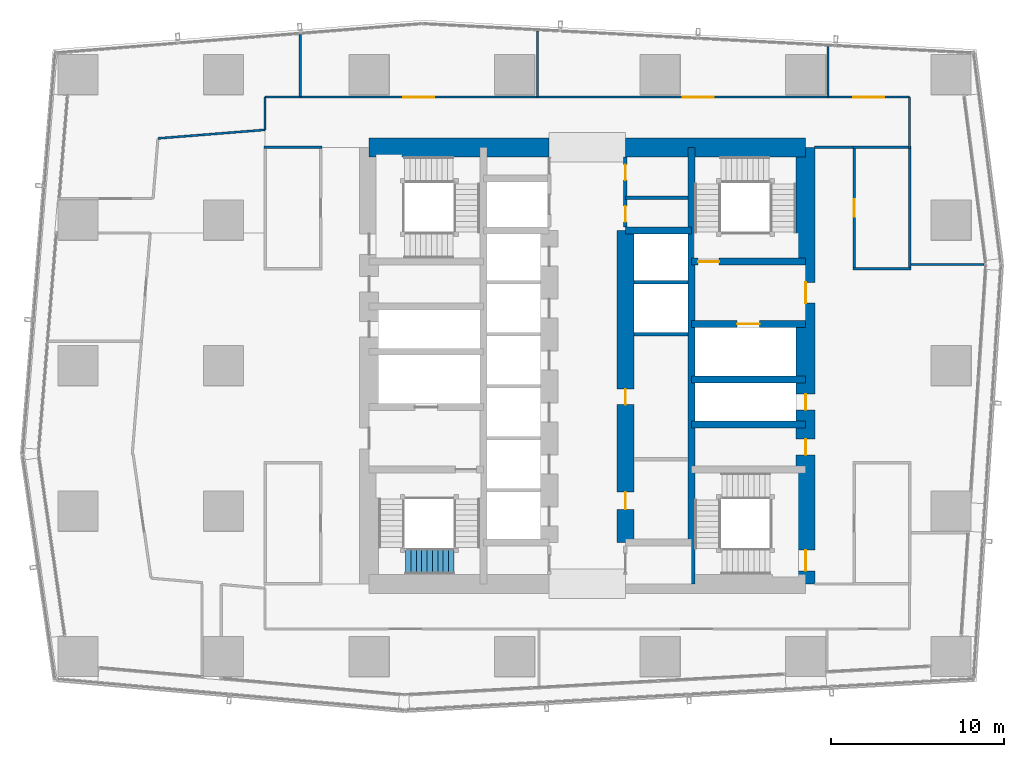
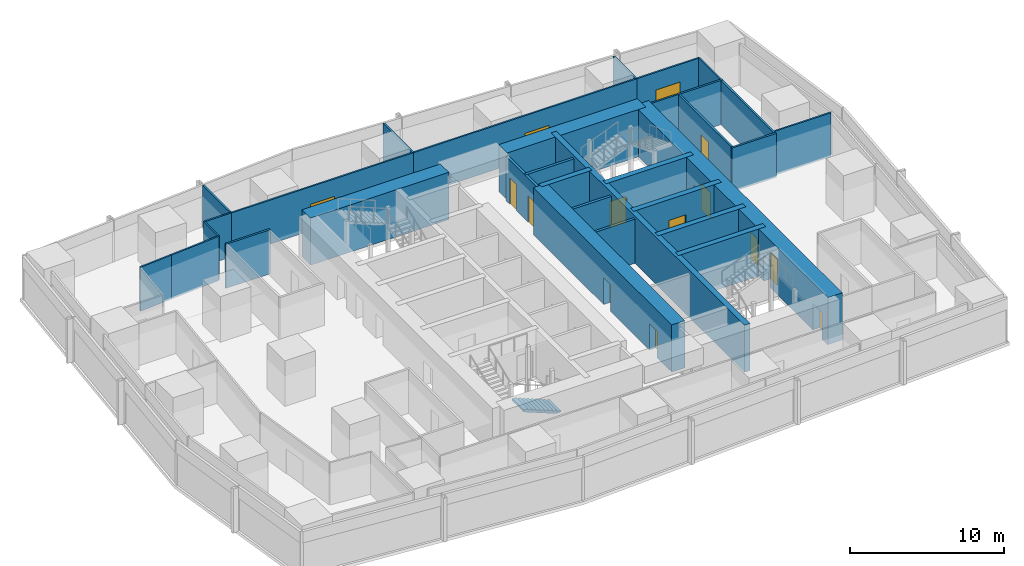
# One storey, part 23 of 32: 32 walls, 14 doors, 1 stair flight, 14 openings, 1 element without a shape of its own.
"""IFC4 building model written with IfcOpenShell, lengths in metres."""

from ifc_helpers import new_model, si_unit, direction, frame, frame_2d, origin, place, context, subcontext, project, spatial, polyline, rectangle, outline, extrude, material, layer, layer_set, type_object, element, fill, aggregate, save


model = new_model("IFC4")

# Units and contexts
model_context = context("Model", 3, precision=1e-05, world=origin(), true_north=direction((0.0, 1.0)))
body_context = subcontext(model_context, "Body", "Model", "MODEL_VIEW")
ifc_project = project(units=[si_unit("LENGTHUNIT", "METRE"), si_unit("AREAUNIT", "SQUARE_METRE"), si_unit("VOLUMEUNIT", "CUBIC_METRE"), si_unit("PLANEANGLEUNIT", "RADIAN"), si_unit("MASSUNIT", "GRAM", prefix="KILO")], contexts=[model_context])

# Site, building, storey
site_placement = place(None, origin())
site = spatial("IfcSite", under=ifc_project, at=site_placement, CompositionType="ELEMENT")
building_placement = place(site_placement, origin())
building = spatial("IfcBuilding", under=site, at=building_placement, Name="Rekha Terrace Tower", CompositionType="ELEMENT")
storey_placement = place(building_placement, frame((0.0, 0.0, 250.10009765625)))
storey = spatial("IfcBuildingStorey", under=building, at=storey_placement, Name="L63", CompositionType="ELEMENT", Elevation=250.10009765625)

# Walls
ifc_material_1 = material(Name="Concrete M60", Category="concrete")
ifc_layer_1 = layer(ifc_material_1, 0.39990234375)
ifc_layer_set_1 = layer_set([ifc_layer_1], Name="Concrete M60")
wall_type_1 = type_object("IfcWallType", Name="CI4 400 core internal shear wall", PredefinedType="SHEAR", material=ifc_layer_set_1)
wall_1_placement = place(storey_placement, frame((43.800048828125, 21.0, 0.0), z_axis=(0.0, 0.0, 1.0), x_axis=(0.0, 1.0, 0.0)))
element("IfcWall", 1, at=wall_1_placement, inside=storey, type_object=wall_type_1, Name="Core wall X438 L63", PredefinedType="SHEAR", context=body_context, shape_type="SweptSolid", body=[
    extrude(rectangle(XDim=25.199951171875, YDim=0.39990234375, at=frame_2d((12.60009765625, 0.0))), origin(), (0.0, 0.0, 1.0), 3.75),
])
wall_2_placement = place(storey_placement, frame((40.0, 41.39990234375, 0.0), z_axis=(0.0, 0.0, 1.0), x_axis=(1.0, 0.0, 0.0)))
element("IfcWall", 2, at=wall_2_placement, inside=storey, type_object=wall_type_1, Name="Core wall Y414E L63", PredefinedType="SHEAR", context=body_context, shape_type="SweptSolid", body=[
    extrude(rectangle(XDim=3.800048828125, YDim=0.39990234375, at=frame_2d((1.89990234375, 0.0))), origin(), (0.0, 0.0, 1.0), 3.75),
])
for number, where, z_axis, x_axis, name in (
    (3, (43.800048828125, 30.199951171875, 0.0), (0.0, 0.0, 1.0), (1.0, 0.0, 0.0), "Core wall Y302E L63"),
    (4, (43.800048828125, 32.800048828125, 0.0), (0.0, 0.0, 1.0), (1.0, 0.0, 0.0), "Core wall Y328E L63"),
):
    element("IfcWall", number, at=place(storey_placement, frame(where, z_axis=z_axis, x_axis=x_axis)), inside=storey, type_object=wall_type_1, Name=name, PredefinedType="SHEAR", context=body_context, shape_type="SweptSolid", body=[
        extrude(rectangle(XDim=6.599853515625, YDim=0.39990234375, at=frame_2d((3.2998046875, 0.0))), origin(), (0.0, 0.0, 1.0), 3.75),
    ])

# Wall, opening, door
wall_3_placement = place(storey_placement, frame((43.800048828125, 36.0, 0.0), z_axis=(0.0, 0.0, 1.0), x_axis=(1.0, 0.0, 0.0)))
wall_3 = element("IfcWall", 5, at=wall_3_placement, inside=storey, type_object=wall_type_1, Name="Core wall Y360E L63", PredefinedType="SHEAR", context=body_context, shape_type="SweptSolid", body=[
    extrude(rectangle(XDim=6.599853515625, YDim=0.39990234375, at=frame_2d((3.2998046875, 0.0))), origin(), (0.0, 0.0, 1.0), 3.75),
])
opening_1_placement = place(wall_3_placement, frame((2.64990234375, 0.0, 0.0)))
opening_1 = element("IfcOpeningElement", 6, at=opening_1_placement, cuts=wall_3, Name="Opening LD2", PredefinedType="OPENING", context=body_context, shape_type="SweptSolid", body=[
    extrude(rectangle(XDim=1.300048828125, YDim=2.10009765625, at=frame_2d((0.64990234375, 1.050048828125))), frame((0.0, 0.2099609375, 0.0), z_axis=(0.0, -1.0, 0.0), x_axis=(1.0, 0.0, 0.0)), (0.0, 0.0, 1.0), 0.419921875),
])
ifc_material_2 = material(Name="Stainless steel sliding landing door", Category="steel")
door_type_1 = type_object("IfcDoorType", Name="LD2 1300x2100 fire lift landing door", OperationType="SLIDING_TO_LEFT", PredefinedType="USERDEFINED", material=ifc_material_2)
door_1_placement = place(opening_1_placement, origin())
door_1 = element("IfcDoor", 7, at=door_1_placement, inside=storey, type_object=door_type_1, Name="Lift FL2 landing door L63", ObjectType="LIFT LANDING DOOR", OperationType="SLIDING_TO_LEFT", OverallHeight=2.10009765625, OverallWidth=1.300048828125, PredefinedType="USERDEFINED", context=body_context, shape_type="SweptSolid", body=[
    extrude(rectangle(XDim=1.300048828125, YDim=2.10009765625, at=frame_2d((0.64990234375, 1.050048828125))), frame((0.0, 0.02490234375, 0.0), z_axis=(0.0, -1.0, 0.0), x_axis=(1.0, 0.0, 0.0)), (0.0, 0.0, 1.0), 0.050048828125),
])
fill(opening_1, door_1)

wall_4_placement = place(storey_placement, frame((43.800048828125, 39.60009765625, 0.0), z_axis=(0.0, 0.0, 1.0), x_axis=(1.0, 0.0, 0.0)))
wall_4 = element("IfcWall", 8, at=wall_4_placement, inside=storey, type_object=wall_type_1, Name="Core wall Y396E L63", PredefinedType="SHEAR", context=body_context, shape_type="SweptSolid", body=[
    extrude(rectangle(XDim=6.599853515625, YDim=0.39990234375, at=frame_2d((3.2998046875, 0.0))), origin(), (0.0, 0.0, 1.0), 3.75),
])
opening_2_placement = place(wall_4_placement, frame((0.39990234375, 0.0, 0.0)))
opening_2 = element("IfcOpeningElement", 9, at=opening_2_placement, cuts=wall_4, Name="Opening D1", PredefinedType="OPENING", context=body_context, shape_type="SweptSolid", body=[
    extrude(rectangle(XDim=1.199951171875, YDim=2.10009765625, at=frame_2d((0.60009765625, 1.050048828125))), frame((0.0, 0.2099609375, 0.0), z_axis=(0.0, -1.0, 0.0), x_axis=(1.0, 0.0, 0.0)), (0.0, 0.0, 1.0), 0.419921875),
])
ifc_material_3 = material(Name="Steel fire door", Category="steel")
door_type_2 = type_object("IfcDoorType", Name="D1 1200x2100 stair fire door", OperationType="SINGLE_SWING_RIGHT", PredefinedType="DOOR", material=ifc_material_3)
door_2_placement = place(opening_2_placement, origin())
door_2 = element("IfcDoor", 10, at=door_2_placement, inside=storey, type_object=door_type_2, Name="Stair ST2 door L63", OperationType="SINGLE_SWING_RIGHT", OverallHeight=2.10009765625, OverallWidth=1.199951171875, PredefinedType="DOOR", context=body_context, shape_type="SweptSolid", body=[
    extrude(rectangle(XDim=1.199951171875, YDim=2.10009765625, at=frame_2d((0.60009765625, 1.050048828125))), frame((0.0, 0.02490234375, 0.0), z_axis=(0.0, -1.0, 0.0), x_axis=(1.0, 0.0, 0.0)), (0.0, 0.0, 1.0), 0.050048828125),
])
fill(opening_2, door_2)

# Wall, openings, doors
ifc_layer_2 = layer(ifc_material_1, 1.0)
ifc_layer_set_2 = layer_set([ifc_layer_2], Name="Concrete M60")
wall_type_2 = type_object("IfcWallType", Name="LW4 1000 core lobby wall at an outrigger level", PredefinedType="SHEAR", material=ifc_layer_set_2)
wall_5_placement = place(storey_placement, frame((40.0, 23.39990234375, 0.0), z_axis=(0.0, 0.0, 1.0), x_axis=(0.0, 1.0, 0.0)))
wall_5 = element("IfcWall", 11, at=wall_5_placement, inside=storey, type_object=wall_type_2, Name="Core wall X400 L63", PredefinedType="SHEAR", context=body_context, shape_type="SweptSolid", body=[
    extrude(rectangle(XDim=18.0, YDim=1.0, at=frame_2d((9.0, 0.0))), origin(), (0.0, 0.0, 1.0), 3.75),
])
opening_3_placement = place(wall_5_placement, frame((1.89990234375, 0.0, 0.0)))
opening_3 = element("IfcOpeningElement", 12, at=opening_3_placement, cuts=wall_5, Name="Opening D9", PredefinedType="OPENING", context=body_context, shape_type="SweptSolid", body=[
    extrude(rectangle(XDim=1.0, YDim=2.10009765625, at=frame_2d((0.5, 1.050048828125))), frame((0.0, 0.510009765625, 0.0), z_axis=(0.0, -1.0, 0.0), x_axis=(1.0, 0.0, 0.0)), (0.0, 0.0, 1.0), 1.02001953125),
])
opening_4_placement = place(wall_5_placement, frame((7.949951171875, 0.0, 0.0)))
opening_4 = element("IfcOpeningElement", 13, at=opening_4_placement, cuts=wall_5, Name="Opening D5", PredefinedType="OPENING", context=body_context, shape_type="SweptSolid", body=[
    extrude(rectangle(XDim=0.89990234375, YDim=2.10009765625, at=frame_2d((0.449951171875, 1.050048828125))), frame((0.0, 0.510009765625, 0.0), z_axis=(0.0, -1.0, 0.0), x_axis=(1.0, 0.0, 0.0)), (0.0, 0.0, 1.0), 1.02001953125),
])
door_type_3 = type_object("IfcDoorType", Name="D5 900x2100 riser access door", OperationType="SINGLE_SWING_LEFT", PredefinedType="DOOR", material=ifc_material_3)
door_3_placement = place(opening_4_placement, origin())
door_3 = element("IfcDoor", 14, at=door_3_placement, inside=storey, type_object=door_type_3, Name="Door back-of-house store L63", OperationType="SINGLE_SWING_LEFT", OverallHeight=2.10009765625, OverallWidth=0.89990234375, PredefinedType="DOOR", context=body_context, shape_type="SweptSolid", body=[
    extrude(rectangle(XDim=0.89990234375, YDim=2.10009765625, at=frame_2d((0.449951171875, 1.050048828125))), frame((0.0, 0.02490234375, 0.0), z_axis=(0.0, -1.0, 0.0), x_axis=(1.0, 0.0, 0.0)), (0.0, 0.0, 1.0), 0.050048828125),
])
fill(opening_4, door_3)
ifc_material_4 = material(Name="Timber fire door", Category="wood")
door_type_4 = type_object("IfcDoorType", Name="D9 1000x2100 office door", OperationType="SINGLE_SWING_LEFT", PredefinedType="DOOR", material=ifc_material_4)
door_4_placement = place(opening_3_placement, origin())
door_4 = element("IfcDoor", 15, at=door_4_placement, inside=storey, type_object=door_type_4, Name="Door pantry and vending room L63", OperationType="SINGLE_SWING_LEFT", OverallHeight=2.10009765625, OverallWidth=1.0, PredefinedType="DOOR", context=body_context, shape_type="SweptSolid", body=[
    extrude(rectangle(XDim=1.0, YDim=2.10009765625, at=frame_2d((0.5, 1.050048828125))), frame((0.0, 0.02490234375, 0.0), z_axis=(0.0, -1.0, 0.0), x_axis=(1.0, 0.0, 0.0)), (0.0, 0.0, 1.0), 0.050048828125),
])
fill(opening_3, door_4)

# Walls
ifc_layer_3 = layer(ifc_material_1, 1.10009765625)
ifc_layer_set_3 = layer_set([ifc_layer_3], Name="Concrete M60")
wall_type_3 = type_object("IfcWallType", Name="SW4 1100 core outer shear wall", PredefinedType="SHEAR", material=ifc_layer_set_3)
wall_6_placement = place(storey_placement, frame((25.199951171875, 46.199951171875, 0.0), z_axis=(0.0, 0.0, 1.0), x_axis=(1.0, 0.0, 0.0)))
element("IfcWall", 16, at=wall_6_placement, inside=storey, type_object=wall_type_3, Name="Core wall N1 L63", PredefinedType="SHEAR", context=body_context, shape_type="SweptSolid", body=[
    extrude(rectangle(XDim=10.400146484375, YDim=1.10009765625, at=frame_2d((5.2001953125, 0.0))), origin(), (0.0, 0.0, 1.0), 3.75),
])
wall_7_placement = place(storey_placement, frame((40.0, 46.199951171875, 0.0), z_axis=(0.0, 0.0, 1.0), x_axis=(1.0, 0.0, 0.0)))
element("IfcWall", 17, at=wall_7_placement, inside=storey, type_object=wall_type_3, Name="Core wall N2 L63", PredefinedType="SHEAR", context=body_context, shape_type="SweptSolid", body=[
    extrude(rectangle(XDim=10.39990234375, YDim=1.10009765625, at=frame_2d((5.199951171875, 0.0))), origin(), (0.0, 0.0, 1.0), 3.75),
])

# Wall, openings, doors
wall_8_placement = place(storey_placement, frame((50.39990234375, 21.0, 0.0), z_axis=(0.0, 0.0, 1.0), x_axis=(0.0, 1.0, 0.0)))
wall_8 = element("IfcWall", 18, at=wall_8_placement, inside=storey, type_object=wall_type_3, Name="Core wall E L63", PredefinedType="SHEAR", context=body_context, shape_type="SweptSolid", body=[
    extrude(rectangle(XDim=25.199951171875, YDim=1.10009765625, at=frame_2d((12.60009765625, 0.0))), origin(), (0.0, 0.0, 1.0), 3.75),
])
opening_5_placement = place(wall_8_placement, frame((16.199951171875, 0.0, 0.0)))
opening_5 = element("IfcOpeningElement", 19, at=opening_5_placement, cuts=wall_8, Name="Opening D2", PredefinedType="OPENING", context=body_context, shape_type="SweptSolid", body=[
    extrude(rectangle(XDim=1.199951171875, YDim=2.10009765625, at=frame_2d((0.60009765625, 1.050048828125))), frame((0.0, 0.56005859375, 0.0), z_axis=(0.0, -1.0, 0.0), x_axis=(1.0, 0.0, 0.0)), (0.0, 0.0, 1.0), 1.1201171875),
])
opening_6_placement = place(wall_8_placement, frame((10.050048828125, 0.0, 0.0)))
opening_6 = element("IfcOpeningElement", 20, at=opening_6_placement, cuts=wall_8, Name="Opening D5", PredefinedType="OPENING", context=body_context, shape_type="SweptSolid", body=[
    extrude(rectangle(XDim=0.89990234375, YDim=2.10009765625, at=frame_2d((0.449951171875, 1.050048828125))), frame((0.0, 0.56005859375, 0.0), z_axis=(0.0, -1.0, 0.0), x_axis=(1.0, 0.0, 0.0)), (0.0, 0.0, 1.0), 1.1201171875),
])
opening_7_placement = place(wall_8_placement, frame((7.449951171875, 0.0, 0.0)))
opening_7 = element("IfcOpeningElement", 21, at=opening_7_placement, cuts=wall_8, Name="Opening D5", PredefinedType="OPENING", context=body_context, shape_type="SweptSolid", body=[
    extrude(rectangle(XDim=0.89990234375, YDim=2.10009765625, at=frame_2d((0.449951171875, 1.050048828125))), frame((0.0, 0.56005859375, 0.0), z_axis=(0.0, -1.0, 0.0), x_axis=(1.0, 0.0, 0.0)), (0.0, 0.0, 1.0), 1.1201171875),
])
opening_8_placement = place(wall_8_placement, frame((0.75, 0.0, 0.0)))
opening_8 = element("IfcOpeningElement", 22, at=opening_8_placement, cuts=wall_8, Name="Opening D1", PredefinedType="OPENING", context=body_context, shape_type="SweptSolid", body=[
    extrude(rectangle(XDim=1.199951171875, YDim=2.10009765625, at=frame_2d((0.60009765625, 1.050048828125))), frame((0.0, 0.56005859375, 0.0), z_axis=(0.0, -1.0, 0.0), x_axis=(1.0, 0.0, 0.0)), (0.0, 0.0, 1.0), 1.1201171875),
])
door_5_placement = place(opening_8_placement, origin())
door_5 = element("IfcDoor", 23, at=door_5_placement, inside=storey, type_object=door_type_2, Name="Stair ST3 door L63", OperationType="SINGLE_SWING_RIGHT", OverallHeight=2.10009765625, OverallWidth=1.199951171875, PredefinedType="DOOR", context=body_context, shape_type="SweptSolid", body=[
    extrude(rectangle(XDim=1.199951171875, YDim=2.10009765625, at=frame_2d((0.60009765625, 1.050048828125))), frame((0.0, 0.02490234375, 0.0), z_axis=(0.0, -1.0, 0.0), x_axis=(1.0, 0.0, 0.0)), (0.0, 0.0, 1.0), 0.050048828125),
])
fill(opening_8, door_5)
door_type_5 = type_object("IfcDoorType", Name="D2 1200x2100 firefighting lobby door", OperationType="SINGLE_SWING_LEFT", PredefinedType="DOOR", material=ifc_material_3)
door_6_placement = place(opening_5_placement, origin())
door_6 = element("IfcDoor", 24, at=door_6_placement, inside=storey, type_object=door_type_5, Name="Door flb2 L63", OperationType="SINGLE_SWING_LEFT", OverallHeight=2.10009765625, OverallWidth=1.199951171875, PredefinedType="DOOR", context=body_context, shape_type="SweptSolid", body=[
    extrude(rectangle(XDim=1.199951171875, YDim=2.10009765625, at=frame_2d((0.60009765625, 1.050048828125))), frame((0.0, 0.02490234375, 0.0), z_axis=(0.0, -1.0, 0.0), x_axis=(1.0, 0.0, 0.0)), (0.0, 0.0, 1.0), 0.050048828125),
])
fill(opening_5, door_6)
door_7_placement = place(opening_6_placement, origin())
door_7 = element("IfcDoor", 25, at=door_7_placement, inside=storey, type_object=door_type_3, Name="Door rs2 L63", OperationType="SINGLE_SWING_LEFT", OverallHeight=2.10009765625, OverallWidth=0.89990234375, PredefinedType="DOOR", context=body_context, shape_type="SweptSolid", body=[
    extrude(rectangle(XDim=0.89990234375, YDim=2.10009765625, at=frame_2d((0.449951171875, 1.050048828125))), frame((0.0, 0.02490234375, 0.0), z_axis=(0.0, -1.0, 0.0), x_axis=(1.0, 0.0, 0.0)), (0.0, 0.0, 1.0), 0.050048828125),
])
fill(opening_6, door_7)
door_8_placement = place(opening_7_placement, origin())
door_8 = element("IfcDoor", 26, at=door_8_placement, inside=storey, type_object=door_type_3, Name="Door ele L63", OperationType="SINGLE_SWING_LEFT", OverallHeight=2.10009765625, OverallWidth=0.89990234375, PredefinedType="DOOR", context=body_context, shape_type="SweptSolid", body=[
    extrude(rectangle(XDim=0.89990234375, YDim=2.10009765625, at=frame_2d((0.449951171875, 1.050048828125))), frame((0.0, 0.02490234375, 0.0), z_axis=(0.0, -1.0, 0.0), x_axis=(1.0, 0.0, 0.0)), (0.0, 0.0, 1.0), 0.050048828125),
])
fill(opening_7, door_8)

# Walls
ifc_material_5 = material(Name="Concrete block masonry, 1 hour", Category="masonry")
ifc_layer_4 = layer(ifc_material_5, 0.14990234375)
ifc_layer_set_4 = layer_set([ifc_layer_4], Name="Concrete block masonry, 1 hour")
wall_type_4 = type_object("IfcWallType", Name="WP2 150 tenancy partition", PredefinedType="PARTITIONING", material=ifc_layer_set_4)
for number, where, z_axis, x_axis, name in (
    (27, (53.125, 39.199951171875, 0.0), (0.0, 0.0, 1.0), (1.0, 0.0, 0.0), "Women's WC wall L63"),
    (28, (53.125, 46.199951171875, 0.0), (0.0, 0.0, 1.0), (1.0, 0.0, 0.0), "Women's WC wall L63"),
):
    element("IfcWall", number, at=place(storey_placement, frame(where, z_axis=z_axis, x_axis=x_axis)), inside=storey, type_object=wall_type_4, Name=name, PredefinedType="PARTITIONING", context=body_context, shape_type="SweptSolid", body=[
        extrude(rectangle(XDim=3.35009765625, YDim=0.14990234375, at=frame_2d((1.675048828125, 0.0))), origin(), (0.0, 0.0, 1.0), 3.5),
    ])

# Wall, opening, door
wall_9_placement = place(storey_placement, frame((53.199951171875, 39.27490234375, 0.0), z_axis=(0.0, 0.0, 1.0), x_axis=(0.0, 1.0, 0.0)))
wall_9 = element("IfcWall", 29, at=wall_9_placement, inside=storey, type_object=wall_type_4, Name="Women's WC wall L63", PredefinedType="PARTITIONING", context=body_context, shape_type="SweptSolid", body=[
    extrude(rectangle(XDim=6.85009765625, YDim=0.14990234375, at=frame_2d((3.425048828125, 0.0))), origin(), (0.0, 0.0, 1.0), 3.5),
])
opening_9_placement = place(wall_9_placement, frame((2.925048828125, 0.0, 0.0)))
opening_9 = element("IfcOpeningElement", 30, at=opening_9_placement, cuts=wall_9, Name="Opening D3", PredefinedType="OPENING", context=body_context, shape_type="SweptSolid", body=[
    extrude(rectangle(XDim=1.0, YDim=2.10009765625, at=frame_2d((0.5, 1.050048828125))), frame((0.0, 0.0849609375, 0.0), z_axis=(0.0, -1.0, 0.0), x_axis=(1.0, 0.0, 0.0)), (0.0, 0.0, 1.0), 0.169921875),
])
ifc_material_6 = material(Name="Laminated timber fire door", Category="wood")
door_type_6 = type_object("IfcDoorType", Name="D3 1000x2100 WC door", OperationType="SINGLE_SWING_LEFT", PredefinedType="DOOR", material=ifc_material_6)
door_9_placement = place(opening_9_placement, origin())
door_9 = element("IfcDoor", 31, at=door_9_placement, inside=storey, type_object=door_type_6, Name="Door women's wc L63", OperationType="SINGLE_SWING_LEFT", OverallHeight=2.10009765625, OverallWidth=1.0, PredefinedType="DOOR", context=body_context, shape_type="SweptSolid", body=[
    extrude(rectangle(XDim=1.0, YDim=2.10009765625, at=frame_2d((0.5, 1.050048828125))), frame((0.0, 0.02490234375, 0.0), z_axis=(0.0, -1.0, 0.0), x_axis=(1.0, 0.0, 0.0)), (0.0, 0.0, 1.0), 0.050048828125),
])
fill(opening_9, door_9)

# Walls
wall_10_placement = place(storey_placement, frame((56.39990234375, 39.27490234375, 0.0), z_axis=(0.0, 0.0, 1.0), x_axis=(0.0, 1.0, 0.0)))
element("IfcWall", 32, at=wall_10_placement, inside=storey, type_object=wall_type_4, Name="Women's WC wall L63", PredefinedType="PARTITIONING", context=body_context, shape_type="SweptSolid", body=[
    extrude(rectangle(XDim=6.85009765625, YDim=0.14990234375, at=frame_2d((3.425048828125, 0.0))), origin(), (0.0, 0.0, 1.0), 3.5),
])
wall_11_placement = place(storey_placement, frame((19.125, 46.199951171875, 0.0), z_axis=(0.0, 0.0, 1.0), x_axis=(1.0, 0.0, 0.0)))
element("IfcWall", 33, at=wall_11_placement, inside=storey, type_object=wall_type_4, Name="Women's WC wall L63", PredefinedType="PARTITIONING", context=body_context, shape_type="SweptSolid", body=[
    extrude(rectangle(XDim=3.35009765625, YDim=0.14990234375, at=frame_2d((1.675048828125, 0.0))), origin(), (0.0, 0.0, 1.0), 3.5),
])
ifc_material_7 = material(Name="Two layers of fire-rated gypsum board each side on steel studs, acoustic quilt, 1 hour", Category="steel")
ifc_layer_5 = layer(ifc_material_7, 0.125)
ifc_layer_set_5 = layer_set([ifc_layer_5], Name="Two layers of fire-rated gypsum board each side on steel studs, acoustic quilt, 1 hour")
wall_type_5 = type_object("IfcWallType", Name="WP3 125 office partition", PredefinedType="PARTITIONING", material=ifc_layer_set_5)
wall_12_placement = place(storey_placement, frame((50.89990234375, 46.199951171875, 0.0), z_axis=(0.0, 0.0, 1.0), x_axis=(1.0, 0.0, 0.0)))
element("IfcWall", 34, at=wall_12_placement, inside=storey, type_object=wall_type_5, Name="Partition L63-02", PredefinedType="PARTITIONING", context=body_context, shape_type="SweptSolid", body=[
    extrude(rectangle(XDim=2.22412109375, YDim=0.125, at=frame_2d((1.112060546875, 0.0))), origin(), (0.0, 0.0, 1.0), 3.5),
])
wall_13_placement = place(storey_placement, frame((56.47509765625, 39.43896484375, 0.0), z_axis=(0.0, 0.0, 1.0), x_axis=(1.0, 0.0, 0.0)))
element("IfcWall", 35, at=wall_13_placement, inside=storey, type_object=wall_type_5, Name="Partition L63-02", PredefinedType="PARTITIONING", context=body_context, shape_type="SweptSolid", body=[
    extrude(rectangle(XDim=4.224853515625, YDim=0.125, at=frame_2d((2.1123046875, 0.0))), origin(), (0.0, 0.0, 1.0), 3.5),
])
wall_14_placement = place(storey_placement, frame((51.681884765625, 49.10009765625, 0.0), z_axis=(0.0, 0.0, 1.0), x_axis=(0.0, 1.0, 0.0)))
element("IfcWall", 36, at=wall_14_placement, inside=storey, type_object=wall_type_5, Name="Partition L63-03", PredefinedType="PARTITIONING", context=body_context, shape_type="SweptSolid", body=[
    extrude(rectangle(XDim=2.92578125, YDim=0.125, at=frame_2d((1.462890625, 0.0))), origin(), (0.0, 0.0, 1.0), 3.5),
])
wall_15_placement = place(storey_placement, frame((56.39990234375, 46.125, 0.0), z_axis=(0.0, 0.0, 1.0), x_axis=(0.0, 1.0, 0.0)))
element("IfcWall", 37, at=wall_15_placement, inside=storey, type_object=wall_type_5, Name="Partition L63-03", PredefinedType="PARTITIONING", context=body_context, shape_type="SweptSolid", body=[
    extrude(rectangle(XDim=2.97509765625, YDim=0.125, at=frame_2d((1.487548828125, 0.0))), origin(), (0.0, 0.0, 1.0), 3.5),
])

# Wall, opening, door
wall_16_placement = place(storey_placement, frame((56.39990234375, 49.10009765625, 0.0), z_axis=(0.0, 0.0, 1.0), x_axis=(-1.0, 0.0, 0.0)))
wall_16 = element("IfcWall", 38, at=wall_16_placement, inside=storey, type_object=wall_type_5, Name="Partition L63-03", PredefinedType="PARTITIONING", context=body_context, shape_type="SweptSolid", body=[
    extrude(rectangle(XDim=4.718017578125, YDim=0.125, at=frame_2d((2.35888671875, 0.0))), origin(), (0.0, 0.0, 1.0), 3.5),
])
opening_10_placement = place(wall_16_placement, frame((1.458984375, 0.0, 0.0)))
opening_10 = element("IfcOpeningElement", 39, at=opening_10_placement, cuts=wall_16, Name="Opening D8", PredefinedType="OPENING", context=body_context, shape_type="SweptSolid", body=[
    extrude(rectangle(XDim=1.800048828125, YDim=2.10009765625, at=frame_2d((0.89990234375, 1.050048828125))), frame((0.0, 0.072509765625, 0.0), z_axis=(0.0, -1.0, 0.0), x_axis=(1.0, 0.0, 0.0)), (0.0, 0.0, 1.0), 0.14501953125),
])
door_type_7 = type_object("IfcDoorType", Name="D8 1800x2100 double leaf door", OperationType="DOUBLE_DOOR_SINGLE_SWING", PredefinedType="DOOR", material=ifc_material_4)
door_10_placement = place(opening_10_placement, origin())
door_10 = element("IfcDoor", 40, at=door_10_placement, inside=storey, type_object=door_type_7, Name="Door business lounge L63", OperationType="DOUBLE_DOOR_SINGLE_SWING", OverallHeight=2.10009765625, OverallWidth=1.800048828125, PredefinedType="DOOR", context=body_context, shape_type="SweptSolid", body=[
    extrude(rectangle(XDim=1.800048828125, YDim=2.10009765625, at=frame_2d((0.89990234375, 1.050048828125))), frame((0.0, 0.02490234375, 0.0), z_axis=(0.0, -1.0, 0.0), x_axis=(1.0, 0.0, 0.0)), (0.0, 0.0, 1.0), 0.050048828125),
])
fill(opening_10, door_10)

wall_17_placement = place(storey_placement, frame((51.680908203125, 49.10009765625, 0.0), z_axis=(0.0, 0.0, 1.0), x_axis=(-1.0, 0.0, 0.0)))
wall_17 = element("IfcWall", 41, at=wall_17_placement, inside=storey, type_object=wall_type_5, Name="Partition L63-04", PredefinedType="PARTITIONING", context=body_context, shape_type="SweptSolid", body=[
    extrude(rectangle(XDim=16.764892578125, YDim=0.125, at=frame_2d((8.38232421875, 0.0))), origin(), (0.0, 0.0, 1.0), 3.5),
])
opening_11_placement = place(wall_17_placement, frame((6.5830078125, 0.0, 0.0)))
opening_11 = element("IfcOpeningElement", 42, at=opening_11_placement, cuts=wall_17, Name="Opening D8", PredefinedType="OPENING", context=body_context, shape_type="SweptSolid", body=[
    extrude(rectangle(XDim=1.800048828125, YDim=2.10009765625, at=frame_2d((0.89990234375, 1.050048828125))), frame((0.0, 0.072509765625, 0.0), z_axis=(0.0, -1.0, 0.0), x_axis=(1.0, 0.0, 0.0)), (0.0, 0.0, 1.0), 0.14501953125),
])
door_11_placement = place(opening_11_placement, origin())
door_11 = element("IfcDoor", 43, at=door_11_placement, inside=storey, type_object=door_type_7, Name="Door quiet room L63", OperationType="DOUBLE_DOOR_SINGLE_SWING", OverallHeight=2.10009765625, OverallWidth=1.800048828125, PredefinedType="DOOR", context=body_context, shape_type="SweptSolid", body=[
    extrude(rectangle(XDim=1.800048828125, YDim=2.10009765625, at=frame_2d((0.89990234375, 1.050048828125))), frame((0.0, 0.02490234375, 0.0), z_axis=(0.0, -1.0, 0.0), x_axis=(1.0, 0.0, 0.0)), (0.0, 0.0, 1.0), 0.050048828125),
])
fill(opening_11, door_11)

# Wall
wall_18_placement = place(storey_placement, frame((34.916015625, 49.10009765625, 0.0), z_axis=(0.0, 0.0, 1.0), x_axis=(0.0, 1.0, 0.0)))
element("IfcWall", 44, at=wall_18_placement, inside=storey, type_object=wall_type_5, Name="Partition L63-04", PredefinedType="PARTITIONING", context=body_context, shape_type="SweptSolid", body=[
    extrude(rectangle(XDim=3.81689453125, YDim=0.125, at=frame_2d((1.908447265625, 0.0))), origin(), (0.0, 0.0, 1.0), 3.5),
])

# Wall, opening, door
wall_19_placement = place(storey_placement, frame((34.9150390625, 49.10009765625, 0.0), z_axis=(0.0, 0.0, 1.0), x_axis=(-1.0, 0.0, 0.0)))
wall_19 = element("IfcWall", 45, at=wall_19_placement, inside=storey, type_object=wall_type_5, Name="Partition L63-05", PredefinedType="PARTITIONING", context=body_context, shape_type="SweptSolid", body=[
    extrude(rectangle(XDim=13.68798828125, YDim=0.125, at=frame_2d((6.843994140625, 0.0))), origin(), (0.0, 0.0, 1.0), 3.5),
])
opening_12_placement = place(wall_19_placement, frame((5.944091796875, 0.0, 0.0)))
opening_12 = element("IfcOpeningElement", 46, at=opening_12_placement, cuts=wall_19, Name="Opening D8", PredefinedType="OPENING", context=body_context, shape_type="SweptSolid", body=[
    extrude(rectangle(XDim=1.800048828125, YDim=2.10009765625, at=frame_2d((0.89990234375, 1.050048828125))), frame((0.0, 0.072509765625, 0.0), z_axis=(0.0, -1.0, 0.0), x_axis=(1.0, 0.0, 0.0)), (0.0, 0.0, 1.0), 0.14501953125),
])
door_12_placement = place(opening_12_placement, origin())
door_12 = element("IfcDoor", 47, at=door_12_placement, inside=storey, type_object=door_type_7, Name="Door quiet room L63", OperationType="DOUBLE_DOOR_SINGLE_SWING", OverallHeight=2.10009765625, OverallWidth=1.800048828125, PredefinedType="DOOR", context=body_context, shape_type="SweptSolid", body=[
    extrude(rectangle(XDim=1.800048828125, YDim=2.10009765625, at=frame_2d((0.89990234375, 1.050048828125))), frame((0.0, 0.02490234375, 0.0), z_axis=(0.0, -1.0, 0.0), x_axis=(1.0, 0.0, 0.0)), (0.0, 0.0, 1.0), 0.050048828125),
])
fill(opening_12, door_12)

# Walls
wall_20_placement = place(storey_placement, frame((21.22705078125, 49.10009765625, 0.0), z_axis=(0.0, 0.0, 1.0), x_axis=(0.0, 1.0, 0.0)))
element("IfcWall", 48, at=wall_20_placement, inside=storey, type_object=wall_type_5, Name="Partition L63-05", PredefinedType="PARTITIONING", context=body_context, shape_type="SweptSolid", body=[
    extrude(rectangle(XDim=3.60791015625, YDim=0.125, at=frame_2d((1.803955078125, 0.0))), origin(), (0.0, 0.0, 1.0), 3.5),
])
wall_21_placement = place(storey_placement, frame((21.22607421875, 49.10009765625, 0.0), z_axis=(0.0, 0.0, 1.0), x_axis=(-1.0, 0.0, 0.0)))
element("IfcWall", 49, at=wall_21_placement, inside=storey, type_object=wall_type_5, Name="Partition L63-06", PredefinedType="PARTITIONING", context=body_context, shape_type="SweptSolid", body=[
    extrude(rectangle(XDim=2.026123046875, YDim=0.125, at=frame_2d((1.01318359375, 0.0))), origin(), (0.0, 0.0, 1.0), 3.5),
])
wall_22_placement = place(storey_placement, frame((19.199951171875, 49.10009765625, 0.0), z_axis=(0.0, 0.0, 1.0), x_axis=(0.0, -1.0, 0.0)))
element("IfcWall", 50, at=wall_22_placement, inside=storey, type_object=wall_type_5, Name="Partition L63-06", PredefinedType="PARTITIONING", context=body_context, shape_type="SweptSolid", body=[
    extrude(rectangle(XDim=1.89111328125, YDim=0.125, at=frame_2d((0.945556640625, 0.0))), origin(), (0.0, 0.0, 1.0), 3.5),
])
wall_23_placement = place(storey_placement, frame((19.199951171875, 47.208984375, 0.0), z_axis=(0.0, 0.0, 1.0), x_axis=(-0.996831568036, -0.079541341248, 0.0)))
element("IfcWall", 51, at=wall_23_placement, inside=storey, type_object=wall_type_5, Name="Partition L63-06", PredefinedType="PARTITIONING", context=body_context, shape_type="SweptSolid", body=[
    extrude(rectangle(XDim=3.760009765625, YDim=0.125, at=frame_2d((1.8798828125, 0.0))), origin(), (0.0, 0.0, 1.0), 3.5),
])
wall_24_placement = place(storey_placement, frame((15.451904296875, 46.909912109375, 0.0), z_axis=(0.0, 0.0, 1.0), x_axis=(-0.996853884913, -0.079261164092, 0.0)))
element("IfcWall", 52, at=wall_24_placement, inside=storey, type_object=wall_type_5, Name="Partition L63-06", PredefinedType="PARTITIONING", context=body_context, shape_type="SweptSolid", body=[
    extrude(rectangle(XDim=2.44580078125, YDim=0.125, at=frame_2d((1.222900390625, 0.0))), origin(), (0.0, 0.0, 1.0), 3.5),
])
ifc_material_8 = material(Name="Solid concrete block masonry, 2 hour", Category="masonry")
ifc_layer_6 = layer(ifc_material_8, 0.199951171875)
ifc_layer_set_6 = layer_set([ifc_layer_6], Name="Solid concrete block masonry, 2 hour")
wall_type_6 = type_object("IfcWallType", Name="WS1 200 stair and shaft enclosure", PredefinedType="PARTITIONING", material=ifc_layer_set_6)
for number, where, z_axis, x_axis, name in (
    (53, (40.5, 35.39990234375, 0.0), (0.0, 0.0, 1.0), (1.0, 0.0, 0.0), "Lift shaft divider L63"),
    (54, (40.5, 38.39990234375, 0.0), (0.0, 0.0, 1.0), (1.0, 0.0, 0.0), "Lift shaft divider L63"),
):
    element("IfcWall", number, at=place(storey_placement, frame(where, z_axis=z_axis, x_axis=x_axis)), inside=storey, type_object=wall_type_6, Name=name, PredefinedType="PARTITIONING", context=body_context, shape_type="SweptSolid", body=[
        extrude(rectangle(XDim=3.10009765625, YDim=0.199951171875, at=frame_2d((1.550048828125, 0.0))), origin(), (0.0, 0.0, 1.0), 3.5),
    ])

# Wall, openings, doors
wall_25_placement = place(storey_placement, frame((40.0, 41.60009765625, 0.0), z_axis=(0.0, 0.0, 1.0), x_axis=(0.0, 1.0, 0.0)))
wall_25 = element("IfcWall", 55, at=wall_25_placement, inside=storey, type_object=wall_type_6, Name="Core partition elec L63", PredefinedType="PARTITIONING", context=body_context, shape_type="SweptSolid", body=[
    extrude(rectangle(XDim=4.0498046875, YDim=0.199951171875, at=frame_2d((2.02490234375, 0.0))), origin(), (0.0, 0.0, 1.0), 3.5),
])
opening_13_placement = place(wall_25_placement, frame((2.699951171875, 0.0, 0.0)))
opening_13 = element("IfcOpeningElement", 56, at=opening_13_placement, cuts=wall_25, Name="Opening D5", PredefinedType="OPENING", context=body_context, shape_type="SweptSolid", body=[
    extrude(rectangle(XDim=0.89990234375, YDim=2.10009765625, at=frame_2d((0.449951171875, 1.050048828125))), frame((0.0, 0.10986328125, 0.0), z_axis=(0.0, -1.0, 0.0), x_axis=(1.0, 0.0, 0.0)), (0.0, 0.0, 1.0), 0.219970703125),
])
opening_14_placement = place(wall_25_placement, frame((0.300048828125, 0.0, 0.0)))
opening_14 = element("IfcOpeningElement", 57, at=opening_14_placement, cuts=wall_25, Name="Opening D5", PredefinedType="OPENING", context=body_context, shape_type="SweptSolid", body=[
    extrude(rectangle(XDim=0.89990234375, YDim=2.10009765625, at=frame_2d((0.449951171875, 1.050048828125))), frame((0.0, 0.10986328125, 0.0), z_axis=(0.0, -1.0, 0.0), x_axis=(1.0, 0.0, 0.0)), (0.0, 0.0, 1.0), 0.219970703125),
])
door_13_placement = place(opening_13_placement, origin())
door_13 = element("IfcDoor", 58, at=door_13_placement, inside=storey, type_object=door_type_3, Name="Door electrical room L63", OperationType="SINGLE_SWING_LEFT", OverallHeight=2.10009765625, OverallWidth=0.89990234375, PredefinedType="DOOR", context=body_context, shape_type="SweptSolid", body=[
    extrude(rectangle(XDim=0.89990234375, YDim=2.10009765625, at=frame_2d((0.449951171875, 1.050048828125))), frame((0.0, 0.02490234375, 0.0), z_axis=(0.0, -1.0, 0.0), x_axis=(1.0, 0.0, 0.0)), (0.0, 0.0, 1.0), 0.050048828125),
])
fill(opening_13, door_13)
door_14_placement = place(opening_14_placement, origin())
door_14 = element("IfcDoor", 59, at=door_14_placement, inside=storey, type_object=door_type_3, Name="Door stationery store L63", OperationType="SINGLE_SWING_LEFT", OverallHeight=2.10009765625, OverallWidth=0.89990234375, PredefinedType="DOOR", context=body_context, shape_type="SweptSolid", body=[
    extrude(rectangle(XDim=0.89990234375, YDim=2.10009765625, at=frame_2d((0.449951171875, 1.050048828125))), frame((0.0, 0.02490234375, 0.0), z_axis=(0.0, -1.0, 0.0), x_axis=(1.0, 0.0, 0.0)), (0.0, 0.0, 1.0), 0.050048828125),
])
fill(opening_14, door_14)

# Wall
wall_26_placement = place(storey_placement, frame((40.0, 43.300048828125, 0.0), z_axis=(0.0, 0.0, 1.0), x_axis=(1.0, 0.0, 0.0)))
element("IfcWall", 60, at=wall_26_placement, inside=storey, type_object=wall_type_6, Name="Core partition elx L63", PredefinedType="PARTITIONING", context=body_context, shape_type="SweptSolid", body=[
    extrude(rectangle(XDim=3.60009765625, YDim=0.199951171875, at=frame_2d((1.800048828125, 0.0))), origin(), (0.0, 0.0, 1.0), 3.5),
])

# Stair, stair flight
ifc_material_9 = material(Name="Concrete M40", Category="concrete")
stair_type = type_object("IfcStairType", Name="ST30 stair, 30 risers of 125, going 310, 1500 wide flights, 3 flights", PredefinedType="HALF_TURN_STAIR", material=ifc_material_9)
stair_placement = place(storey_placement, origin())
stair = element("IfcStair", 61, at=stair_placement, inside=storey, type_object=stair_type, Name="Stair ST1 L63 to L64", PredefinedType="HALF_TURN_STAIR")
stair_flight_type = type_object("IfcStairFlightType", Name="SF10 stair flight, 10 risers of 125, going 310, 1500 wide", PredefinedType="STRAIGHT", material=ifc_material_9)
stair_flight_placement = place(storey_placement, frame((30.10009765625, 22.300048828125, 1.25), z_axis=(0.0, 0.0, 1.0), x_axis=(-1.0, 0.0, 0.0)))
stair_flight = element("IfcStairFlight", 62, at=stair_flight_placement, type_object=stair_flight_type, Name="ST1 flight 2", NumberOfRisers=10, NumberOfTreads=9, PredefinedType="STRAIGHT", RiserHeight=0.125, TreadLength=0.31, context=body_context, shape_type="SweptSolid", body=[
    extrude(outline(polyline([(0.0, 0.0), (0.0, 0.125), (0.31005859375, 0.125), (0.31005859375, 0.25), (0.6201171875, 0.25), (0.6201171875, 0.375), (0.929931640625, 0.375), (0.929931640625, 0.5), (1.239990234375, 0.5), (1.239990234375, 0.625), (1.550048828125, 0.625), (1.550048828125, 0.75), (1.860107421875, 0.75), (1.860107421875, 0.875), (2.169921875, 0.875), (2.169921875, 1.0), (2.47998046875, 1.0), (2.47998046875, 1.125), (2.7900390625, 1.125), (2.7900390625, 1.25), (2.7900390625, 0.96337890625), (0.40087890625, 0.0), (0.0, 0.0)])), frame((0.0, 0.75, 0.0), z_axis=(0.0, -1.0, 0.0), x_axis=(1.0, 0.0, 0.0)), (0.0, 0.0, 1.0), 1.5),
])
aggregate(stair, [stair_flight])

save(model, "model.ifc")
